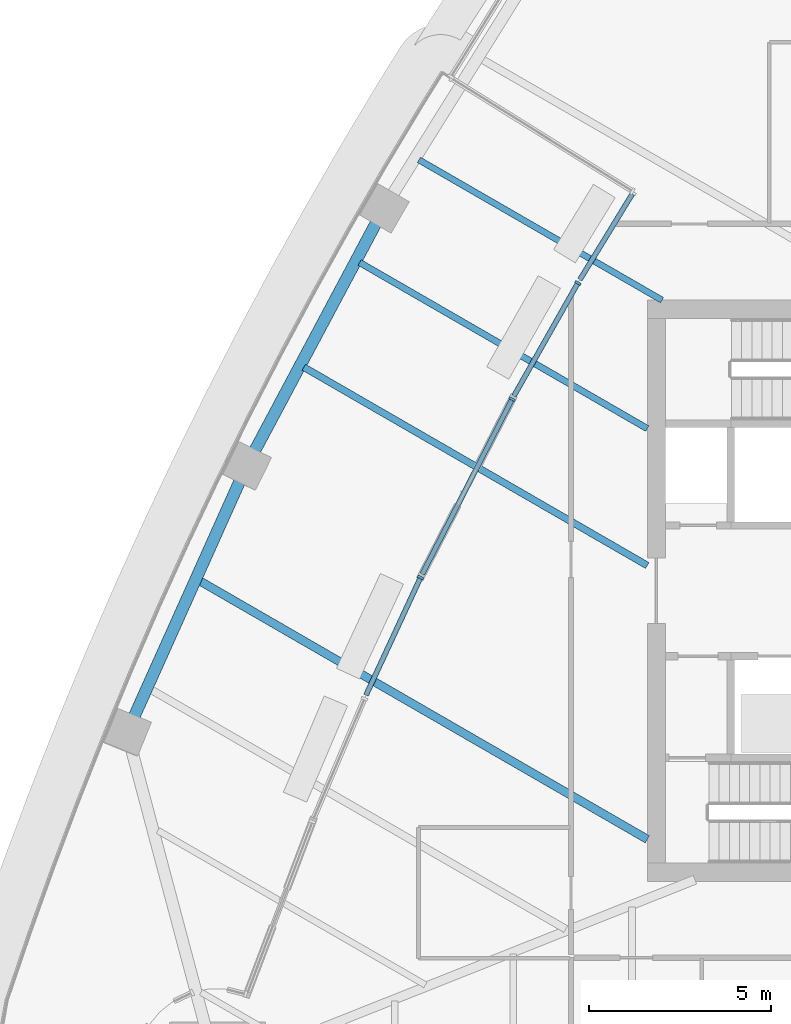
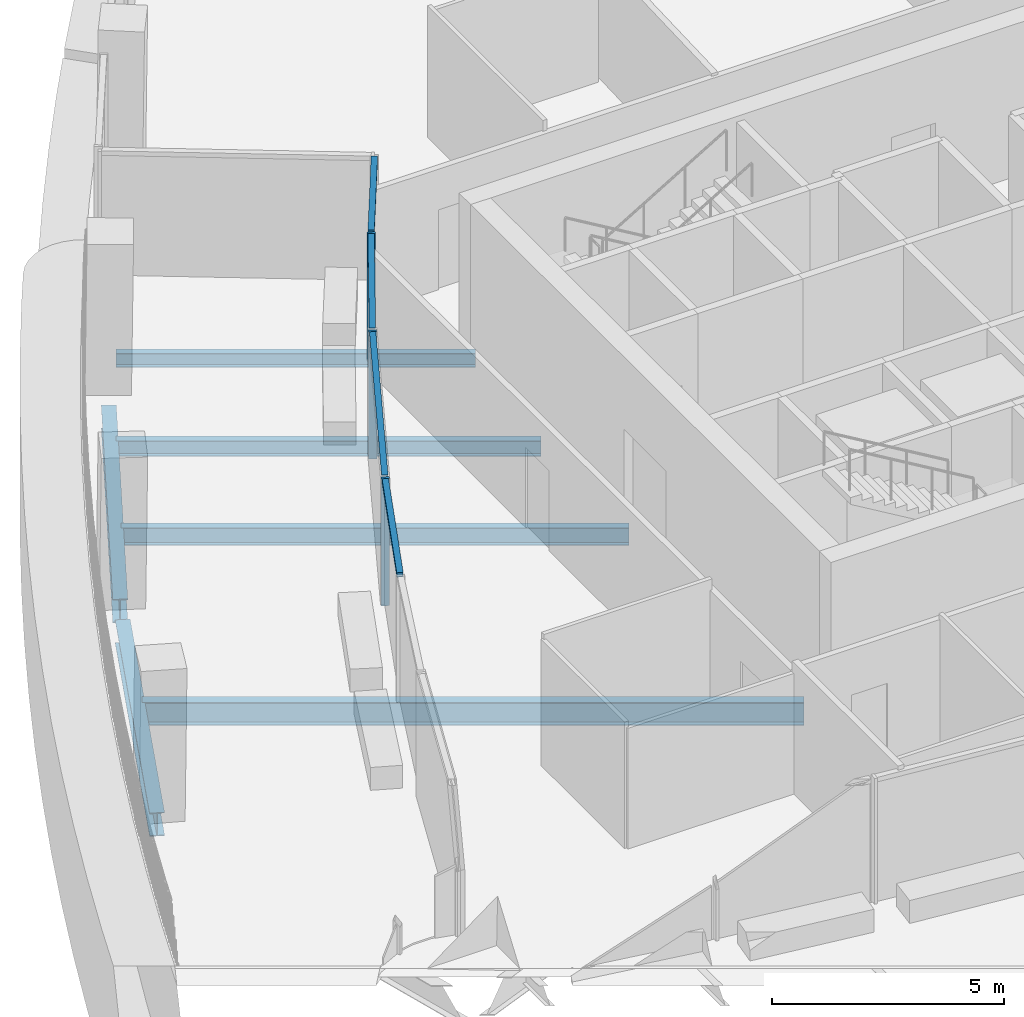
# One storey, part 3 of 18: 7 members, 6 beams, 4 elements without a shape of their own.
"""IFC4 building model written with IfcOpenShell, lengths in metres."""

from ifc_helpers import new_model, si_unit, direction, frame, origin, origin_2d, place, context, subcontext, project, spatial, rectangle, i_section, extrude, material, layer, layer_set, material_profile, profile_set, type_object, element, aggregate, save


model = new_model("IFC4")

# Units and contexts
model_context = context("Model", 3, precision=1e-05, world=origin(), true_north=direction((0.0, 1.0)))
body_context = subcontext(model_context, "Body", "Model", "MODEL_VIEW")
ifc_project = project(units=[si_unit("LENGTHUNIT", "METRE"), si_unit("AREAUNIT", "SQUARE_METRE"), si_unit("VOLUMEUNIT", "CUBIC_METRE"), si_unit("PLANEANGLEUNIT", "RADIAN"), si_unit("MASSUNIT", "GRAM", prefix="KILO")], contexts=[model_context])

# Site, building, storey
site_placement = place(None, origin())
site = spatial("IfcSite", under=ifc_project, at=site_placement, CompositionType="ELEMENT")
building_placement = place(site_placement, origin())
building = spatial("IfcBuilding", under=site, at=building_placement, Name="Sierra Prisma Convention Tower", CompositionType="ELEMENT")
storey_placement = place(building_placement, frame((0.0, 0.0, 205.800048828125)))
storey = spatial("IfcBuildingStorey", under=building, at=storey_placement, Name="L46", CompositionType="ELEMENT", Elevation=205.800048828125)

# Curtain wall, member
ifc_material_1 = material(Name="Aluminium and glass curtain wall", Category="aluminium")
ifc_layer = layer(ifc_material_1, 0.179931640625)
ifc_layer_set = layer_set([ifc_layer], Name="CW-6 Terrace recess curtain wall")
curtain_wall_type = type_object("IfcCurtainWallType", Name="CW-6 Terrace recess curtain wall", PredefinedType="NOTDEFINED", material=ifc_layer_set)
curtain_wall_1_placement = place(storey_placement, origin())
curtain_wall_1 = element("IfcCurtainWall", 1, at=curtain_wall_1_placement, inside=storey, type_object=curtain_wall_type, Name="CW-6 R2 L46", PredefinedType="NOTDEFINED")
ifc_material_2 = material(Name="Aluminium 6063-T6 bronze anodised", Category="aluminium")
ifc_material_profile_1 = material_profile(ifc_material_2, rectangle(XDim=0.179931640625, YDim=0.070068359375, at=origin_2d()), Name="ALU MULLION 70x180")
ifc_profile_set_1 = profile_set([ifc_material_profile_1], Name="Aluminium 6063-T6 bronze anodised")
member_type_1 = type_object("IfcMemberType", Name="CW mullion bronze", PredefinedType="MULLION", material=ifc_profile_set_1)
member_1_placement = place(storey_placement, frame((-12.909423828125, 8.474609375, 0.0), z_axis=(0.0, 0.0, 1.0), x_axis=(0.870070546932, -0.492927219133, 0.0)))
member_1 = element("IfcMember", 2, at=member_1_placement, type_object=member_type_1, Name="CW-6 mullion R2.1", PredefinedType="MULLION", context=body_context, shape_type="SweptSolid", body=[
    extrude(rectangle(XDim=0.179931640625, YDim=0.070068359375, at=origin_2d()), origin(), (0.0, 0.0, 1.0), 3.33984375),
])

curtain_wall_2_placement = place(storey_placement, origin())
curtain_wall_2 = element("IfcCurtainWall", 3, at=curtain_wall_2_placement, inside=storey, type_object=curtain_wall_type, Name="CW-6 R3 L46", PredefinedType="NOTDEFINED")
member_2_placement = place(storey_placement, frame((-14.72119140625, 5.27392578125, 0.0), z_axis=(0.0, 0.0, 1.0), x_axis=(0.889424600351, -0.457081918577, 0.0)))
member_2 = element("IfcMember", 4, at=member_2_placement, type_object=member_type_1, Name="CW-6 mullion R3.1", PredefinedType="MULLION", context=body_context, shape_type="SweptSolid", body=[
    extrude(rectangle(XDim=0.179931640625, YDim=0.070068359375, at=origin_2d()), origin(), (0.0, 0.0, 1.0), 3.33984375),
])

curtain_wall_3_placement = place(storey_placement, origin())
curtain_wall_3 = element("IfcCurtainWall", 5, at=curtain_wall_3_placement, inside=storey, type_object=curtain_wall_type, Name="CW-6 R4 L46", PredefinedType="NOTDEFINED")
member_3_placement = place(storey_placement, frame((-17.241455078125, 0.36669921875, 0.0), z_axis=(0.0, 0.0, 1.0), x_axis=(0.907302684808, -0.420478106612, 0.0)))
member_3 = element("IfcMember", 6, at=member_3_placement, type_object=member_type_1, Name="CW-6 mullion R4.1", PredefinedType="MULLION", context=body_context, shape_type="SweptSolid", body=[
    extrude(rectangle(XDim=0.179931640625, YDim=0.070068359375, at=origin_2d()), origin(), (0.0, 0.0, 1.0), 3.33984375),
])

curtain_wall_4_placement = place(storey_placement, origin())
curtain_wall_4 = element("IfcCurtainWall", 7, at=curtain_wall_4_placement, inside=storey, type_object=curtain_wall_type, Name="CW-6 R1 L46", PredefinedType="NOTDEFINED")
ifc_material_3 = material(Name="Aluminium 6063-T6 bronze anodised", Category="aluminium")
ifc_material_profile_2 = material_profile(ifc_material_3, rectangle(XDim=0.139892578125, YDim=0.1201171875, at=origin_2d()), Name="ALU TRANSOM 120x140")
ifc_profile_set_2 = profile_set([ifc_material_profile_2], Name="Aluminium 6063-T6 bronze anodised")
member_type_2 = type_object("IfcMemberType", Name="CW transom bronze", PredefinedType="USERDEFINED", material=ifc_profile_set_2)
member_4_placement = place(storey_placement, frame((-11.412841796875, 10.924072265625, 3.280029296875), z_axis=(-0.521721362699, -0.853115947397, 0.0), x_axis=(0.853115947397, -0.521721362699, 0.0)))
member_4 = element("IfcMember", 8, at=member_4_placement, type_object=member_type_2, Name="CW-6 transom R1.1", ObjectType="TRANSOM", PredefinedType="USERDEFINED", context=body_context, shape_type="SweptSolid", body=[
    extrude(rectangle(XDim=0.139892578125, YDim=0.1201171875, at=origin_2d()), origin(), (0.0, 0.0, 1.0), 2.765625),
])
aggregate(curtain_wall_4, [member_4])

# Member
member_5_placement = place(storey_placement, frame((-12.9267578125, 8.444091796875, 3.280029296875), z_axis=(-0.492932475149, -0.870067569183, 0.0), x_axis=(0.870067569183, -0.492932475149, 0.0)))
member_5 = element("IfcMember", 9, at=member_5_placement, type_object=member_type_2, Name="CW-6 transom R2.1", ObjectType="TRANSOM", PredefinedType="USERDEFINED", context=body_context, shape_type="SweptSolid", body=[
    extrude(rectangle(XDim=0.139892578125, YDim=0.1201171875, at=origin_2d()), origin(), (0.0, 0.0, 1.0), 3.537841796875),
])

aggregate(curtain_wall_1, [member_1, member_5])

member_6_placement = place(storey_placement, frame((-14.737060546875, 5.24267578125, 3.280029296875), z_axis=(-0.457085330851, -0.88942284675, 0.0), x_axis=(0.88942284675, -0.457085330851, 0.0)))
member_6 = element("IfcMember", 10, at=member_6_placement, type_object=member_type_2, Name="CW-6 transom R3.1", ObjectType="TRANSOM", PredefinedType="USERDEFINED", context=body_context, shape_type="SweptSolid", body=[
    extrude(rectangle(XDim=0.139892578125, YDim=0.1201171875, at=origin_2d()), origin(), (0.0, 0.0, 1.0), 5.37646484375),
])

aggregate(curtain_wall_2, [member_2, member_6])

member_7_placement = place(storey_placement, frame((-17.256103515625, 0.3349609375, 3.280029296875), z_axis=(-0.42046239834, -0.907309964446, 0.0), x_axis=(0.907309964446, -0.42046239834, 0.0)))
member_7 = element("IfcMember", 11, at=member_7_placement, type_object=member_type_2, Name="CW-6 transom R4.1", ObjectType="TRANSOM", PredefinedType="USERDEFINED", context=body_context, shape_type="SweptSolid", body=[
    extrude(rectangle(XDim=0.139892578125, YDim=0.1201171875, at=origin_2d()), origin(), (0.0, 0.0, 1.0), 3.537841796875),
])

aggregate(curtain_wall_3, [member_3, member_7])

# Beams
ifc_material_4 = material(Name="Steel ASTM A992 Gr 50", Category="steel")
ifc_material_profile_3 = material_profile(ifc_material_4, i_section(OverallWidth=0.172119140625, OverallDepth=0.35791015625, WebThickness=0.0078125, FlangeThickness=0.01318359375, at=origin_2d()), Name="W360x57")
ifc_profile_set_3 = profile_set([ifc_material_profile_3], Name="Steel ASTM A992 Gr 50")
beam_type_1 = type_object("IfcBeamType", Name="Floor joist W360x57", PredefinedType="JOIST", material=ifc_profile_set_3)
beam_1_placement = place(storey_placement, frame((-17.286865234375, 11.865234375, -0.47900390625), z_axis=(0.866026758741, -0.499997653139, 0.0), x_axis=(0.499997653139, 0.866026758741, 0.0)))
element("IfcBeam", 12, at=beam_1_placement, inside=storey, type_object=beam_type_1, Name="Floor joist L46 NW07", PredefinedType="JOIST", context=body_context, shape_type="SweptSolid", body=[
    extrude(i_section(OverallWidth=0.172119140625, OverallDepth=0.35791015625, WebThickness=0.0078125, FlangeThickness=0.01318359375, at=origin_2d()), origin(), (0.0, 0.0, 1.0), 7.73046875),
])
ifc_material_5 = material(Name="Steel ASTM A992 Gr 50", Category="steel")
ifc_material_profile_4 = material_profile(ifc_material_5, i_section(OverallWidth=0.177978515625, OverallDepth=0.406982421875, WebThickness=0.0078125, FlangeThickness=0.0126953125, at=origin_2d()), Name="W410x60")
ifc_profile_set_4 = profile_set([ifc_material_profile_4], Name="Steel ASTM A992 Gr 50")
beam_type_2 = type_object("IfcBeamType", Name="Floor joist W410x60", PredefinedType="JOIST", material=ifc_profile_set_4)
beam_2_placement = place(storey_placement, frame((-18.9189453125, 9.0380859375, -0.503662109375), z_axis=(0.866024633014, -0.500001335012, 0.0), x_axis=(0.500001335012, 0.866024633014, 0.0)))
element("IfcBeam", 13, at=beam_2_placement, inside=storey, type_object=beam_type_2, Name="Floor joist L46 NW08", PredefinedType="JOIST", context=body_context, shape_type="SweptSolid", body=[
    extrude(i_section(OverallWidth=0.177978515625, OverallDepth=0.406982421875, WebThickness=0.0078125, FlangeThickness=0.0126953125, at=origin_2d()), origin(), (0.0, 0.0, 1.0), 9.14404296875),
])
ifc_material_6 = material(Name="Steel ASTM A992 Gr 50", Category="steel")
ifc_material_profile_5 = material_profile(ifc_material_6, i_section(OverallWidth=0.18994140625, OverallDepth=0.45703125, WebThickness=0.009033203125, FlangeThickness=0.014404296875, at=origin_2d()), Name="W460x74")
ifc_profile_set_5 = profile_set([ifc_material_profile_5], Name="Steel ASTM A992 Gr 50")
beam_type_3 = type_object("IfcBeamType", Name="Floor joist W460x74", PredefinedType="JOIST", material=ifc_profile_set_5)
beam_3_placement = place(storey_placement, frame((-20.455322265625, 6.155517578125, -0.528564453125), z_axis=(0.866027326522, -0.499996669706, 0.0), x_axis=(0.499996669706, 0.866027326522, 0.0)))
element("IfcBeam", 14, at=beam_3_placement, inside=storey, type_object=beam_type_3, Name="Floor joist L46 NW09", PredefinedType="JOIST", context=body_context, shape_type="SweptSolid", body=[
    extrude(i_section(OverallWidth=0.18994140625, OverallDepth=0.45703125, WebThickness=0.009033203125, FlangeThickness=0.014404296875, at=origin_2d()), origin(), (0.0, 0.0, 1.0), 10.91796875),
])
ifc_material_7 = material(Name="Steel ASTM A992 Gr 50", Category="steel")
ifc_material_profile_6 = material_profile(ifc_material_7, i_section(OverallWidth=0.22802734375, OverallDepth=0.60302734375, WebThickness=0.010498046875, FlangeThickness=0.014892578125, at=origin_2d()), Name="W610x101")
ifc_profile_set_6 = profile_set([ifc_material_profile_6], Name="Steel ASTM A992 Gr 50")
beam_type_4 = type_object("IfcBeamType", Name="Floor joist W610x101", PredefinedType="JOIST", material=ifc_profile_set_6)
beam_4_placement = place(storey_placement, frame((-23.326904296875, 0.274658203125, -0.6015625), z_axis=(0.866025347648, -0.500000097231, 0.0), x_axis=(0.500000097231, 0.866025347648, 0.0)))
element("IfcBeam", 15, at=beam_4_placement, inside=storey, type_object=beam_type_4, Name="Floor joist L46 NW11", PredefinedType="JOIST", context=body_context, shape_type="SweptSolid", body=[
    extrude(i_section(OverallWidth=0.22802734375, OverallDepth=0.60302734375, WebThickness=0.010498046875, FlangeThickness=0.014892578125, at=origin_2d()), origin(), (0.0, 0.0, 1.0), 14.23388671875),
])
ifc_material_8 = material(Name="Steel ASTM A992 Gr 50", Category="steel")
ifc_material_profile_7 = material_profile(ifc_material_8, i_section(OverallWidth=0.324951171875, OverallDepth=0.615966796875, WebThickness=0.013916015625, FlangeThickness=0.021484375, at=origin_2d()), Name="W610x174")
ifc_profile_set_7 = profile_set([ifc_material_profile_7], Name="Steel ASTM A992 Gr 50")
beam_type_5 = type_object("IfcBeamType", Name="Spandrel beam W610x174", PredefinedType="BEAM", material=ifc_profile_set_7)
beam_5_placement = place(storey_placement, frame((-18.42724609375, 10.2001953125, -0.608154296875), z_axis=(-0.470295959582, -0.88250875939, 0.0), x_axis=(0.88250875939, -0.470295959582, 0.0)))
element("IfcBeam", 16, at=beam_5_placement, inside=storey, type_object=beam_type_5, Name="Spandrel L46-16", PredefinedType="BEAM", context=body_context, shape_type="SweptSolid", body=[
    extrude(i_section(OverallWidth=0.324951171875, OverallDepth=0.615966796875, WebThickness=0.013916015625, FlangeThickness=0.021484375, at=origin_2d()), origin(), (0.0, 0.0, 1.0), 7.284423828125),
])
beam_6_placement = place(storey_placement, frame((-22.187744140625, 3.08935546875, -0.608154296875), z_axis=(-0.409335929378, -0.912383744332, 0.0), x_axis=(0.912383744332, -0.409335929378, 0.0)))
element("IfcBeam", 17, at=beam_6_placement, inside=storey, type_object=beam_type_5, Name="Spandrel L46-17", PredefinedType="BEAM", context=body_context, shape_type="SweptSolid", body=[
    extrude(i_section(OverallWidth=0.324951171875, OverallDepth=0.615966796875, WebThickness=0.013916015625, FlangeThickness=0.021484375, at=origin_2d()), origin(), (0.0, 0.0, 1.0), 7.2841796875),
])

save(model, "model.ifc")
